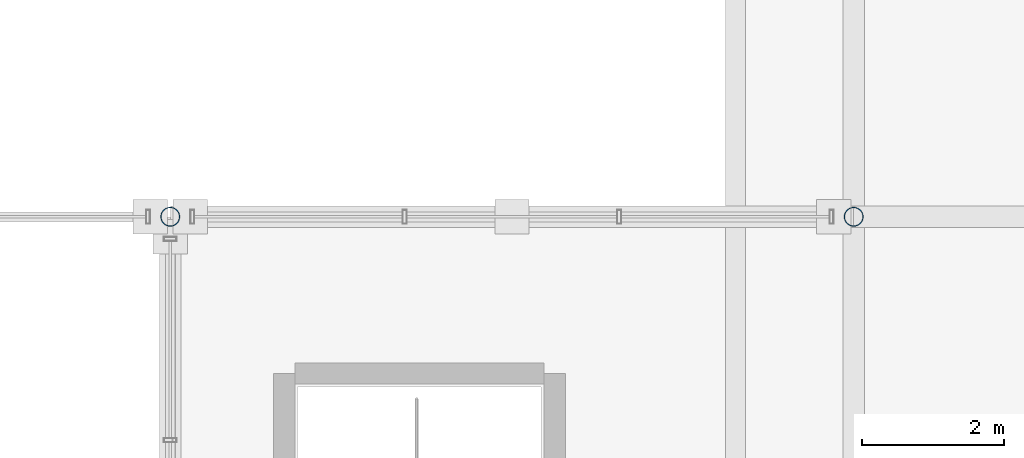
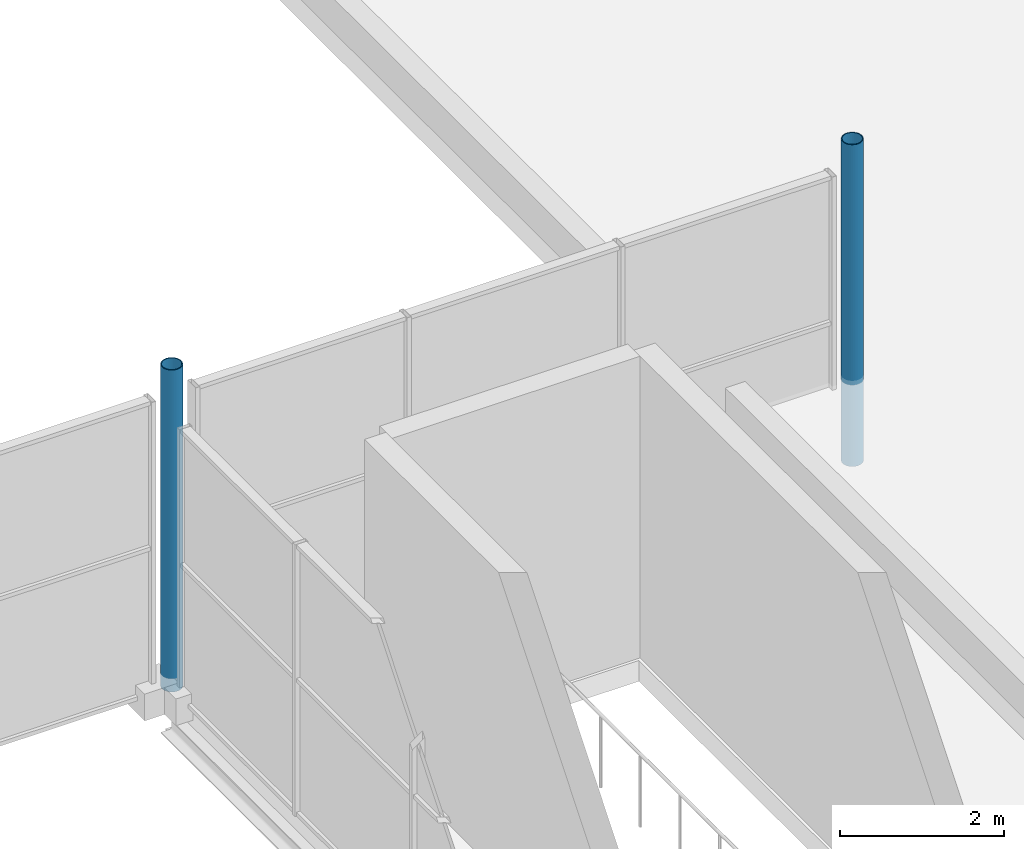
# One storey, part 15 of 159: 2 columns.
"""IFC4 building model written with IfcOpenShell, lengths in metres."""

from ifc_helpers import new_model, si_unit, direction, frame, origin, origin_2d, place, context, subcontext, project, spatial, hollow_circle, extrude, material, material_profile, profile_set, type_object, element, save


model = new_model("IFC4")

# Units and contexts
model_context = context("Model", 3, precision=1e-05, world=origin(), true_north=direction((0.0, 1.0)))
body_context = subcontext(model_context, "Body", "Model", "MODEL_VIEW")
ifc_project = project(units=[si_unit("LENGTHUNIT", "METRE"), si_unit("AREAUNIT", "SQUARE_METRE"), si_unit("VOLUMEUNIT", "CUBIC_METRE"), si_unit("PLANEANGLEUNIT", "RADIAN"), si_unit("MASSUNIT", "GRAM", prefix="KILO")], contexts=[model_context])

# Site, building, storey
site_placement = place(None, origin())
site = spatial("IfcSite", under=ifc_project, at=site_placement, CompositionType="ELEMENT")
building_placement = place(site_placement, origin())
building = spatial("IfcBuilding", under=site, at=building_placement, Name="Merenkruunu Market Hall", CompositionType="ELEMENT")
storey_placement = place(building_placement, frame((0.0, 0.0, 5.39990234375)))
storey = spatial("IfcBuildingStorey", under=building, at=storey_placement, Name="L01", CompositionType="ELEMENT", Elevation=5.39990234375)

# Columns
ifc_material = material(Name="Steel S355ML", Category="steel")
ifc_material_profile = material_profile(ifc_material, hollow_circle(Radius=0.136474609375, WallThickness=0.012451171875, at=origin_2d()), Name="CHS 273x12.5")
ifc_profile_set = profile_set([ifc_material_profile], Name="Steel S355ML")
column_type = type_object("IfcColumnType", Name="Structural Column C14", PredefinedType="COLUMN", material=ifc_profile_set)
for number, where, z_axis, x_axis, name in (
    (1, (67.199951171875, 99.60009765625, 0.0), (0.0, 0.0, 1.0), (1.0, 0.0, 0.0), "COL-L01-H-11"),
    (2, (76.800048828125, 99.60009765625, 0.0), (0.0, 0.0, 1.0), (1.0, 0.0, 0.0), "COL-L01-J-11"),
):
    element("IfcColumn", number, at=place(storey_placement, frame(where, z_axis=z_axis, x_axis=x_axis)), inside=storey, type_object=column_type, Name=name, PredefinedType="COLUMN", context=body_context, shape_type="SweptSolid", body=[
        extrude(hollow_circle(Radius=0.136474609375, WallThickness=0.012451171875, at=origin_2d()), origin(), (0.0, 0.0, 1.0), 4.800048828125),
    ])

save(model, "model.ifc")
